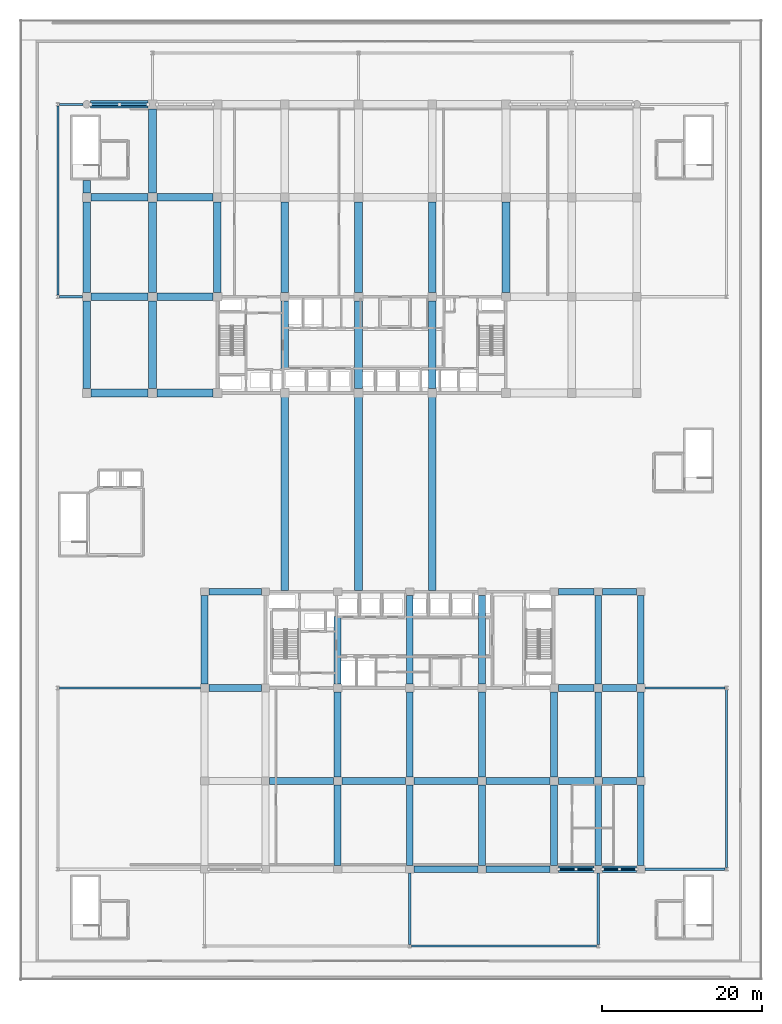
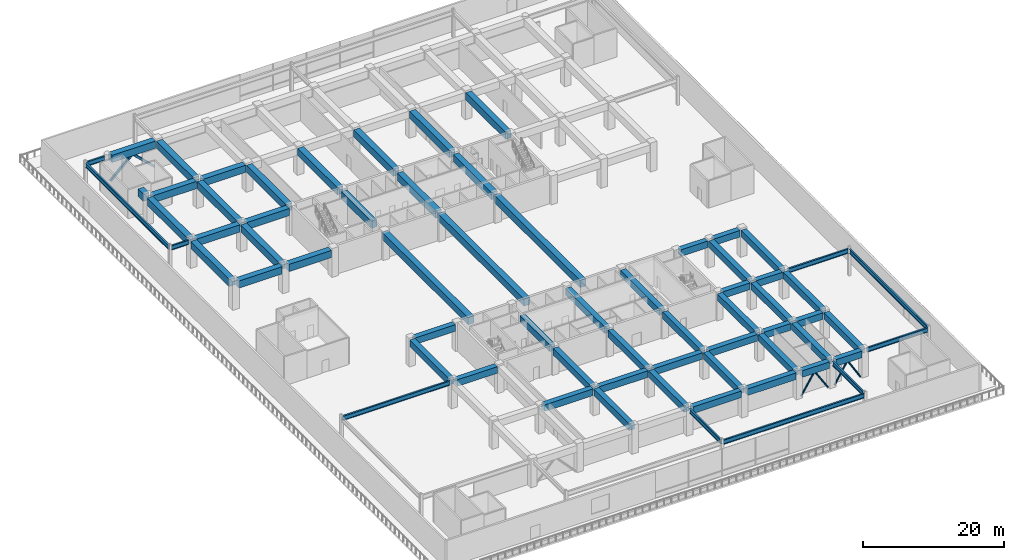
# One storey, part 12 of 38: 68 beams, 6 members.
"""IFC4 building model written with IfcOpenShell, lengths in metres."""

from ifc_helpers import new_model, si_unit, direction, frame, origin, origin_2d, place, context, subcontext, project, spatial, rectangle, hollow_rectangle, hollow_circle, i_section, extrude, material, material_profile, profile_set, type_object, element, save


model = new_model("IFC4")

# Units and contexts
model_context = context("Model", 3, precision=1e-05, world=origin(), true_north=direction((0.0, 1.0)))
body_context = subcontext(model_context, "Body", "Model", "MODEL_VIEW")
ifc_project = project(units=[si_unit("LENGTHUNIT", "METRE"), si_unit("AREAUNIT", "SQUARE_METRE"), si_unit("VOLUMEUNIT", "CUBIC_METRE"), si_unit("PLANEANGLEUNIT", "RADIAN"), si_unit("MASSUNIT", "GRAM", prefix="KILO")], contexts=[model_context])

# Site, building, storey
site_placement = place(None, origin())
site = spatial("IfcSite", under=ifc_project, at=site_placement, CompositionType="ELEMENT")
building_placement = place(site_placement, origin())
building = spatial("IfcBuilding", under=site, at=building_placement, Name="Korimba Cascade Residences", CompositionType="ELEMENT")
storey_placement = place(building_placement, frame((0.0, 0.0, 19.0)))
storey = spatial("IfcBuildingStorey", under=building, at=storey_placement, Name="L04", CompositionType="ELEMENT", Elevation=19.0)

# Beams
ifc_material_1 = material(Name="Steel S355", Category="steel")
ifc_material_profile_1 = material_profile(ifc_material_1, i_section(OverallWidth=0.26806640625, OverallDepth=0.769775390625, WebThickness=0.015625, FlangeThickness=0.025390625, FilletRadius=0.0166015625, at=origin_2d()), Name="Steel S355")
ifc_profile_set_1 = profile_set([ifc_material_profile_1], Name="Steel S355")
beam_type_1 = type_object("IfcBeamType", Name="BM-STL-UB762", PredefinedType="BEAM", material=ifc_profile_set_1)
beam_1_placement = place(storey_placement, frame((56.3994140625, 18.39990234375, 4.295166015625), z_axis=(1.0, 0.0, 0.0), x_axis=(0.0, 1.0, 0.0)))
element("IfcBeam", 1, at=beam_1_placement, inside=storey, type_object=beam_type_1, Name="L04 Podium Frame Girder W2", PredefinedType="BEAM", context=body_context, shape_type="SweptSolid", body=[
    extrude(i_section(OverallWidth=0.26806640625, OverallDepth=0.769775390625, WebThickness=0.015625, FlangeThickness=0.025390625, FilletRadius=0.0166015625, at=origin_2d()), origin(), (0.0, 0.0, 1.0), 17.57568359375),
])
beam_2_placement = place(storey_placement, frame((56.3994140625, 67.199951171875, 4.295166015625), z_axis=(1.0, 0.0, 0.0), x_axis=(0.0, 1.0, 0.0)))
element("IfcBeam", 2, at=beam_2_placement, inside=storey, type_object=beam_type_1, Name="L04 Podium Frame Girder W3", PredefinedType="BEAM", context=body_context, shape_type="SweptSolid", body=[
    extrude(i_section(OverallWidth=0.26806640625, OverallDepth=0.769775390625, WebThickness=0.015625, FlangeThickness=0.025390625, FilletRadius=0.0166015625, at=origin_2d()), origin(), (0.0, 0.0, 1.0), 2.8505859375),
])
beam_3_placement = place(storey_placement, frame((56.3994140625, 91.199951171875, 4.295166015625), z_axis=(1.0, 0.0, 0.0), x_axis=(0.0, 1.0, 0.0)))
element("IfcBeam", 3, at=beam_3_placement, inside=storey, type_object=beam_type_1, Name="L04 Podium Frame Girder W4", PredefinedType="BEAM", context=body_context, shape_type="SweptSolid", body=[
    extrude(i_section(OverallWidth=0.26806640625, OverallDepth=0.769775390625, WebThickness=0.015625, FlangeThickness=0.025390625, FilletRadius=0.0166015625, at=origin_2d()), origin(), (0.0, 0.0, 1.0), 2.925537109375),
])
beam_4_placement = place(storey_placement, frame((56.199951171875, 67.396728515625, 4.295166015625), z_axis=(0.0, 1.0, 0.0), x_axis=(-1.0, 0.0, 0.0)))
element("IfcBeam", 4, at=beam_4_placement, inside=storey, type_object=beam_type_1, Name="L04 Podium Frame Girder WS", PredefinedType="BEAM", context=body_context, shape_type="SweptSolid", body=[
    extrude(i_section(OverallWidth=0.26806640625, OverallDepth=0.769775390625, WebThickness=0.015625, FlangeThickness=0.025390625, FilletRadius=0.0166015625, at=origin_2d()), origin(), (0.0, 0.0, 1.0), 23.6064453125),
])
for number, where, z_axis, x_axis, name in (
    (5, (129.425048828125, -4.199951171875, 4.295166015625), (1.0, 0.0, 0.0), (0.0, 1.0, 0.0), "L04 Podium Frame Girder E1"),
    (6, (129.425048828125, 18.39990234375, 4.295166015625), (1.0, 0.0, 0.0), (0.0, 1.0, 0.0), "L04 Podium Frame Girder E2"),
):
    element("IfcBeam", number, at=place(storey_placement, frame(where, z_axis=z_axis, x_axis=x_axis)), inside=storey, type_object=beam_type_1, Name=name, PredefinedType="BEAM", context=body_context, shape_type="SweptSolid", body=[
        extrude(i_section(OverallWidth=0.26806640625, OverallDepth=0.769775390625, WebThickness=0.015625, FlangeThickness=0.025390625, FilletRadius=0.0166015625, at=origin_2d()), origin(), (0.0, 0.0, 1.0), 9.975341796875),
    ])
beam_5_placement = place(storey_placement, frame((139.60009765625, -4.003173828125, 4.295166015625), z_axis=(0.0, 1.0, 0.0), x_axis=(-1.0, 0.0, 0.0)))
element("IfcBeam", 7, at=beam_5_placement, inside=storey, type_object=beam_type_1, Name="L04 Podium Frame Girder EN", PredefinedType="BEAM", context=body_context, shape_type="SweptSolid", body=[
    extrude(i_section(OverallWidth=0.26806640625, OverallDepth=0.769775390625, WebThickness=0.015625, FlangeThickness=0.025390625, FilletRadius=0.0166015625, at=origin_2d()), origin(), (0.0, 0.0, 1.0), 22.206298828125),
])
for number, where, z_axis, x_axis, name in (
    (8, (100.10009765625, -13.603271484375, 4.295166015625), (0.0, 1.0, 0.0), (-1.0, 0.0, 0.0), "L04 Podium Frame Girder S2"),
    (9, (123.60009765625, -13.603271484375, 4.295166015625), (0.0, 1.0, 0.0), (-1.0, 0.0, 0.0), "L04 Podium Frame Girder S3"),
):
    element("IfcBeam", number, at=place(storey_placement, frame(where, z_axis=z_axis, x_axis=x_axis)), inside=storey, type_object=beam_type_1, Name=name, PredefinedType="BEAM", context=body_context, shape_type="SweptSolid", body=[
        extrude(i_section(OverallWidth=0.26806640625, OverallDepth=0.769775390625, WebThickness=0.015625, FlangeThickness=0.025390625, FilletRadius=0.0166015625, at=origin_2d()), origin(), (0.0, 0.0, 1.0), 8.92822265625),
    ])
beam_6_placement = place(storey_placement, frame((100.299560546875, -13.800048828125, 4.295166015625), z_axis=(1.0, 0.0, 0.0), x_axis=(0.0, 1.0, 0.0)))
element("IfcBeam", 10, at=beam_6_placement, inside=storey, type_object=beam_type_1, Name="L04 Podium Frame Girder SH2", PredefinedType="BEAM", context=body_context, shape_type="SweptSolid", body=[
    extrude(i_section(OverallWidth=0.26806640625, OverallDepth=0.769775390625, WebThickness=0.015625, FlangeThickness=0.025390625, FilletRadius=0.0166015625, at=origin_2d()), origin(), (0.0, 0.0, 1.0), 23.100830078125),
])
ifc_material_2 = material(Name="Concrete C65/80", Category="concrete")
ifc_material_profile_2 = material_profile(ifc_material_2, rectangle(XDim=0.85009765625, YDim=1.14990234375, at=origin_2d()), Name="Concrete C65/80")
ifc_profile_set_2 = profile_set([ifc_material_profile_2], Name="Concrete C65/80")
beam_type_2 = type_object("IfcBeamType", Name="BM-TRF-1150", PredefinedType="T_BEAM", material=ifc_profile_set_2)
for number, where, z_axis, x_axis, name in (
    (11, (100.625, -4.199951171875, 4.10498046875), (1.0, 0.0, 0.0), (0.0, 1.0, 0.0), "L04 T2 E-W Girder Y1 Bay 4"),
    (12, (109.625, -4.199951171875, 4.10498046875), (1.0, 0.0, 0.0), (0.0, 1.0, 0.0), "L04 T2 E-W Girder Y1 Bay 5"),
):
    element("IfcBeam", number, at=place(storey_placement, frame(where, z_axis=z_axis, x_axis=x_axis)), inside=storey, type_object=beam_type_2, Name=name, PredefinedType="T_BEAM", context=body_context, shape_type="SweptSolid", body=[
        extrude(rectangle(XDim=0.85009765625, YDim=1.14990234375, at=origin_2d()), origin(), (0.0, 0.0, 1.0), 7.949951171875),
    ])
beam_7_placement = place(storey_placement, frame((118.625, -4.199951171875, 4.10498046875), z_axis=(1.0, 0.0, 0.0), x_axis=(0.0, 1.0, 0.0)))
element("IfcBeam", 13, at=beam_7_placement, inside=storey, type_object=beam_type_2, Name="L04 T2 E-W Girder Y1 Bay 6", PredefinedType="T_BEAM", context=body_context, shape_type="SweptSolid", body=[
    extrude(rectangle(XDim=0.85009765625, YDim=1.14990234375, at=origin_2d()), origin(), (0.0, 0.0, 1.0), 4.449951171875),
])
beam_8_placement = place(storey_placement, frame((124.125, -4.199951171875, 4.10498046875), z_axis=(1.0, 0.0, 0.0), x_axis=(0.0, 1.0, 0.0)))
element("IfcBeam", 14, at=beam_8_placement, inside=storey, type_object=beam_type_2, Name="L04 T2 E-W Girder Y1 Bay 7", PredefinedType="T_BEAM", context=body_context, shape_type="SweptSolid", body=[
    extrude(rectangle(XDim=0.85009765625, YDim=1.14990234375, at=origin_2d()), origin(), (0.0, 0.0, 1.0), 4.25),
])
for number, where, z_axis, x_axis, name in (
    (15, (82.625, 6.800048828125, 4.10498046875), (1.0, 0.0, 0.0), (0.0, 1.0, 0.0), "L04 T2 E-W Girder Y2 Bay 2"),
    (16, (91.625, 6.800048828125, 4.10498046875), (1.0, 0.0, 0.0), (0.0, 1.0, 0.0), "L04 T2 E-W Girder Y2 Bay 3"),
    (17, (100.625, 6.800048828125, 4.10498046875), (1.0, 0.0, 0.0), (0.0, 1.0, 0.0), "L04 T2 E-W Girder Y2 Bay 4"),
    (18, (109.625, 6.800048828125, 4.10498046875), (1.0, 0.0, 0.0), (0.0, 1.0, 0.0), "L04 T2 E-W Girder Y2 Bay 5"),
):
    element("IfcBeam", number, at=place(storey_placement, frame(where, z_axis=z_axis, x_axis=x_axis)), inside=storey, type_object=beam_type_2, Name=name, PredefinedType="T_BEAM", context=body_context, shape_type="SweptSolid", body=[
        extrude(rectangle(XDim=0.85009765625, YDim=1.14990234375, at=origin_2d()), origin(), (0.0, 0.0, 1.0), 7.949951171875),
    ])
beam_9_placement = place(storey_placement, frame((118.625, 6.800048828125, 4.10498046875), z_axis=(1.0, 0.0, 0.0), x_axis=(0.0, 1.0, 0.0)))
element("IfcBeam", 19, at=beam_9_placement, inside=storey, type_object=beam_type_2, Name="L04 T2 E-W Girder Y2 Bay 6", PredefinedType="T_BEAM", context=body_context, shape_type="SweptSolid", body=[
    extrude(rectangle(XDim=0.85009765625, YDim=1.14990234375, at=origin_2d()), origin(), (0.0, 0.0, 1.0), 4.449951171875),
])
beam_10_placement = place(storey_placement, frame((124.125, 6.800048828125, 4.10498046875), z_axis=(1.0, 0.0, 0.0), x_axis=(0.0, 1.0, 0.0)))
element("IfcBeam", 20, at=beam_10_placement, inside=storey, type_object=beam_type_2, Name="L04 T2 E-W Girder Y2 Bay 7", PredefinedType="T_BEAM", context=body_context, shape_type="SweptSolid", body=[
    extrude(rectangle(XDim=0.85009765625, YDim=1.14990234375, at=origin_2d()), origin(), (0.0, 0.0, 1.0), 4.25),
])
beam_11_placement = place(storey_placement, frame((75.02490234375, 18.39990234375, 4.10498046875), z_axis=(1.0, 0.0, 0.0), x_axis=(0.0, 1.0, 0.0)))
element("IfcBeam", 21, at=beam_11_placement, inside=storey, type_object=beam_type_2, Name="L04 T2 E-W Girder Y3 Bay 1", PredefinedType="T_BEAM", context=body_context, shape_type="SweptSolid", body=[
    extrude(rectangle(XDim=0.85009765625, YDim=1.14990234375, at=origin_2d()), origin(), (0.0, 0.0, 1.0), 6.550048828125),
])
beam_12_placement = place(storey_placement, frame((118.625, 18.39990234375, 4.10498046875), z_axis=(1.0, 0.0, 0.0), x_axis=(0.0, 1.0, 0.0)))
element("IfcBeam", 22, at=beam_12_placement, inside=storey, type_object=beam_type_2, Name="L04 T2 E-W Girder Y3 Bay 6", PredefinedType="T_BEAM", context=body_context, shape_type="SweptSolid", body=[
    extrude(rectangle(XDim=0.85009765625, YDim=1.14990234375, at=origin_2d()), origin(), (0.0, 0.0, 1.0), 4.449951171875),
])
beam_13_placement = place(storey_placement, frame((124.125, 18.39990234375, 4.10498046875), z_axis=(1.0, 0.0, 0.0), x_axis=(0.0, 1.0, 0.0)))
element("IfcBeam", 23, at=beam_13_placement, inside=storey, type_object=beam_type_2, Name="L04 T2 E-W Girder Y3 Bay 7", PredefinedType="T_BEAM", context=body_context, shape_type="SweptSolid", body=[
    extrude(rectangle(XDim=0.85009765625, YDim=1.14990234375, at=origin_2d()), origin(), (0.0, 0.0, 1.0), 4.25),
])
beam_14_placement = place(storey_placement, frame((75.02490234375, 30.39990234375, 4.10498046875), z_axis=(1.0, 0.0, 0.0), x_axis=(0.0, 1.0, 0.0)))
element("IfcBeam", 24, at=beam_14_placement, inside=storey, type_object=beam_type_2, Name="L04 T2 E-W Girder Y4 Bay 1", PredefinedType="T_BEAM", context=body_context, shape_type="SweptSolid", body=[
    extrude(rectangle(XDim=0.85009765625, YDim=1.14990234375, at=origin_2d()), origin(), (0.0, 0.0, 1.0), 6.550048828125),
])
beam_15_placement = place(storey_placement, frame((118.625, 30.39990234375, 4.10498046875), z_axis=(1.0, 0.0, 0.0), x_axis=(0.0, 1.0, 0.0)))
element("IfcBeam", 25, at=beam_15_placement, inside=storey, type_object=beam_type_2, Name="L04 T2 E-W Girder Y4 Bay 6", PredefinedType="T_BEAM", context=body_context, shape_type="SweptSolid", body=[
    extrude(rectangle(XDim=0.85009765625, YDim=1.14990234375, at=origin_2d()), origin(), (0.0, 0.0, 1.0), 4.449951171875),
])
beam_16_placement = place(storey_placement, frame((124.125, 30.39990234375, 4.10498046875), z_axis=(1.0, 0.0, 0.0), x_axis=(0.0, 1.0, 0.0)))
element("IfcBeam", 26, at=beam_16_placement, inside=storey, type_object=beam_type_2, Name="L04 T2 E-W Girder Y4 Bay 7", PredefinedType="T_BEAM", context=body_context, shape_type="SweptSolid", body=[
    extrude(rectangle(XDim=0.85009765625, YDim=1.14990234375, at=origin_2d()), origin(), (0.0, 0.0, 1.0), 4.25),
])
beam_17_placement = place(storey_placement, frame((74.5, 18.875, 4.10498046875), z_axis=(0.0, 1.0, 0.0), x_axis=(-1.0, 0.0, 0.0)))
element("IfcBeam", 27, at=beam_17_placement, inside=storey, type_object=beam_type_2, Name="L04 T2 N-S Girder X1 Seg 3", PredefinedType="T_BEAM", context=body_context, shape_type="SweptSolid", body=[
    extrude(rectangle(XDim=0.85009765625, YDim=1.14990234375, at=origin_2d()), origin(), (0.0, 0.0, 1.0), 11.050048828125),
])
beam_18_placement = place(storey_placement, frame((91.10009765625, -3.72509765625, 4.10498046875), z_axis=(0.0, 1.0, 0.0), x_axis=(-1.0, 0.0, 0.0)))
element("IfcBeam", 28, at=beam_18_placement, inside=storey, type_object=beam_type_2, Name="L04 T2 N-S Girder X3 Seg 1", PredefinedType="T_BEAM", context=body_context, shape_type="SweptSolid", body=[
    extrude(rectangle(XDim=0.85009765625, YDim=1.14990234375, at=origin_2d()), origin(), (0.0, 0.0, 1.0), 10.050048828125),
])
beam_19_placement = place(storey_placement, frame((91.10009765625, 7.27490234375, 4.10498046875), z_axis=(0.0, 1.0, 0.0), x_axis=(-1.0, 0.0, 0.0)))
element("IfcBeam", 29, at=beam_19_placement, inside=storey, type_object=beam_type_2, Name="L04 T2 N-S Girder X3 Seg 2", PredefinedType="T_BEAM", context=body_context, shape_type="SweptSolid", body=[
    extrude(rectangle(XDim=0.85009765625, YDim=1.14990234375, at=origin_2d()), origin(), (0.0, 0.0, 1.0), 10.650146484375),
])
beam_20_placement = place(storey_placement, frame((91.10009765625, 18.875, 4.10498046875), z_axis=(0.0, 1.0, 0.0), x_axis=(-1.0, 0.0, 0.0)))
element("IfcBeam", 30, at=beam_20_placement, inside=storey, type_object=beam_type_2, Name="L04 T2 N-S Girder X3 Seg 3", PredefinedType="T_BEAM", context=body_context, shape_type="SweptSolid", body=[
    extrude(rectangle(XDim=0.85009765625, YDim=1.14990234375, at=origin_2d()), origin(), (0.0, 0.0, 1.0), 8.465087890625),
])
beam_21_placement = place(storey_placement, frame((100.10009765625, -3.72509765625, 4.10498046875), z_axis=(0.0, 1.0, 0.0), x_axis=(-1.0, 0.0, 0.0)))
element("IfcBeam", 31, at=beam_21_placement, inside=storey, type_object=beam_type_2, Name="L04 T2 N-S Girder X4 Seg 1", PredefinedType="T_BEAM", context=body_context, shape_type="SweptSolid", body=[
    extrude(rectangle(XDim=0.85009765625, YDim=1.14990234375, at=origin_2d()), origin(), (0.0, 0.0, 1.0), 10.050048828125),
])
beam_22_placement = place(storey_placement, frame((100.10009765625, 7.27490234375, 4.10498046875), z_axis=(0.0, 1.0, 0.0), x_axis=(-1.0, 0.0, 0.0)))
element("IfcBeam", 32, at=beam_22_placement, inside=storey, type_object=beam_type_2, Name="L04 T2 N-S Girder X4 Seg 2", PredefinedType="T_BEAM", context=body_context, shape_type="SweptSolid", body=[
    extrude(rectangle(XDim=0.85009765625, YDim=1.14990234375, at=origin_2d()), origin(), (0.0, 0.0, 1.0), 10.650146484375),
])
beam_23_placement = place(storey_placement, frame((100.10009765625, 18.875, 4.10498046875), z_axis=(0.0, 1.0, 0.0), x_axis=(-1.0, 0.0, 0.0)))
element("IfcBeam", 33, at=beam_23_placement, inside=storey, type_object=beam_type_2, Name="L04 T2 N-S Girder X4 Seg 3", PredefinedType="T_BEAM", context=body_context, shape_type="SweptSolid", body=[
    extrude(rectangle(XDim=0.85009765625, YDim=1.14990234375, at=origin_2d()), origin(), (0.0, 0.0, 1.0), 11.050048828125),
])
beam_24_placement = place(storey_placement, frame((109.10009765625, -3.72509765625, 4.10498046875), z_axis=(0.0, 1.0, 0.0), x_axis=(-1.0, 0.0, 0.0)))
element("IfcBeam", 34, at=beam_24_placement, inside=storey, type_object=beam_type_2, Name="L04 T2 N-S Girder X5 Seg 1", PredefinedType="T_BEAM", context=body_context, shape_type="SweptSolid", body=[
    extrude(rectangle(XDim=0.85009765625, YDim=1.14990234375, at=origin_2d()), origin(), (0.0, 0.0, 1.0), 10.050048828125),
])
beam_25_placement = place(storey_placement, frame((109.10009765625, 7.27490234375, 4.10498046875), z_axis=(0.0, 1.0, 0.0), x_axis=(-1.0, 0.0, 0.0)))
element("IfcBeam", 35, at=beam_25_placement, inside=storey, type_object=beam_type_2, Name="L04 T2 N-S Girder X5 Seg 2", PredefinedType="T_BEAM", context=body_context, shape_type="SweptSolid", body=[
    extrude(rectangle(XDim=0.85009765625, YDim=1.14990234375, at=origin_2d()), origin(), (0.0, 0.0, 1.0), 10.650146484375),
])
beam_26_placement = place(storey_placement, frame((109.10009765625, 18.875, 4.10498046875), z_axis=(0.0, 1.0, 0.0), x_axis=(-1.0, 0.0, 0.0)))
element("IfcBeam", 36, at=beam_26_placement, inside=storey, type_object=beam_type_2, Name="L04 T2 N-S Girder X5 Seg 3", PredefinedType="T_BEAM", context=body_context, shape_type="SweptSolid", body=[
    extrude(rectangle(XDim=0.85009765625, YDim=1.14990234375, at=origin_2d()), origin(), (0.0, 0.0, 1.0), 11.050048828125),
])
beam_27_placement = place(storey_placement, frame((118.10009765625, -3.72509765625, 4.10498046875), z_axis=(0.0, 1.0, 0.0), x_axis=(-1.0, 0.0, 0.0)))
element("IfcBeam", 37, at=beam_27_placement, inside=storey, type_object=beam_type_2, Name="L04 T2 N-S Girder X6 Seg 1", PredefinedType="T_BEAM", context=body_context, shape_type="SweptSolid", body=[
    extrude(rectangle(XDim=0.85009765625, YDim=1.14990234375, at=origin_2d()), origin(), (0.0, 0.0, 1.0), 10.050048828125),
])
beam_28_placement = place(storey_placement, frame((118.10009765625, 7.27490234375, 4.10498046875), z_axis=(0.0, 1.0, 0.0), x_axis=(-1.0, 0.0, 0.0)))
element("IfcBeam", 38, at=beam_28_placement, inside=storey, type_object=beam_type_2, Name="L04 T2 N-S Girder X6 Seg 2", PredefinedType="T_BEAM", context=body_context, shape_type="SweptSolid", body=[
    extrude(rectangle(XDim=0.85009765625, YDim=1.14990234375, at=origin_2d()), origin(), (0.0, 0.0, 1.0), 10.650146484375),
])
beam_29_placement = place(storey_placement, frame((123.60009765625, -3.72509765625, 4.10498046875), z_axis=(0.0, 1.0, 0.0), x_axis=(-1.0, 0.0, 0.0)))
element("IfcBeam", 39, at=beam_29_placement, inside=storey, type_object=beam_type_2, Name="L04 T2 N-S Girder X7 Seg 1", PredefinedType="T_BEAM", context=body_context, shape_type="SweptSolid", body=[
    extrude(rectangle(XDim=0.85009765625, YDim=1.14990234375, at=origin_2d()), origin(), (0.0, 0.0, 1.0), 10.050048828125),
])
beam_30_placement = place(storey_placement, frame((123.60009765625, 7.27490234375, 4.10498046875), z_axis=(0.0, 1.0, 0.0), x_axis=(-1.0, 0.0, 0.0)))
element("IfcBeam", 40, at=beam_30_placement, inside=storey, type_object=beam_type_2, Name="L04 T2 N-S Girder X7 Seg 2", PredefinedType="T_BEAM", context=body_context, shape_type="SweptSolid", body=[
    extrude(rectangle(XDim=0.85009765625, YDim=1.14990234375, at=origin_2d()), origin(), (0.0, 0.0, 1.0), 10.650146484375),
])
beam_31_placement = place(storey_placement, frame((123.60009765625, 18.875, 4.10498046875), z_axis=(0.0, 1.0, 0.0), x_axis=(-1.0, 0.0, 0.0)))
element("IfcBeam", 41, at=beam_31_placement, inside=storey, type_object=beam_type_2, Name="L04 T2 N-S Girder X7 Seg 3", PredefinedType="T_BEAM", context=body_context, shape_type="SweptSolid", body=[
    extrude(rectangle(XDim=0.85009765625, YDim=1.14990234375, at=origin_2d()), origin(), (0.0, 0.0, 1.0), 11.050048828125),
])
beam_32_placement = place(storey_placement, frame((128.89990234375, -3.72509765625, 4.10498046875), z_axis=(0.0, 1.0, 0.0), x_axis=(-1.0, 0.0, 0.0)))
element("IfcBeam", 42, at=beam_32_placement, inside=storey, type_object=beam_type_2, Name="L04 T2 N-S Girder X8 Seg 1", PredefinedType="T_BEAM", context=body_context, shape_type="SweptSolid", body=[
    extrude(rectangle(XDim=0.85009765625, YDim=1.14990234375, at=origin_2d()), origin(), (0.0, 0.0, 1.0), 10.050048828125),
])
beam_33_placement = place(storey_placement, frame((128.89990234375, 7.27490234375, 4.10498046875), z_axis=(0.0, 1.0, 0.0), x_axis=(-1.0, 0.0, 0.0)))
element("IfcBeam", 43, at=beam_33_placement, inside=storey, type_object=beam_type_2, Name="L04 T2 N-S Girder X8 Seg 2", PredefinedType="T_BEAM", context=body_context, shape_type="SweptSolid", body=[
    extrude(rectangle(XDim=0.85009765625, YDim=1.14990234375, at=origin_2d()), origin(), (0.0, 0.0, 1.0), 10.650146484375),
])
beam_34_placement = place(storey_placement, frame((128.89990234375, 18.875, 4.10498046875), z_axis=(0.0, 1.0, 0.0), x_axis=(-1.0, 0.0, 0.0)))
element("IfcBeam", 44, at=beam_34_placement, inside=storey, type_object=beam_type_2, Name="L04 T2 N-S Girder X8 Seg 3", PredefinedType="T_BEAM", context=body_context, shape_type="SweptSolid", body=[
    extrude(rectangle(XDim=0.85009765625, YDim=1.14990234375, at=origin_2d()), origin(), (0.0, 0.0, 1.0), 11.050048828125),
])
ifc_material_profile_3 = material_profile(ifc_material_2, rectangle(XDim=0.949951171875, YDim=1.25, at=origin_2d()), Name="Concrete C65/80")
ifc_profile_set_3 = profile_set([ifc_material_profile_3], Name="Concrete C65/80")
beam_type_3 = type_object("IfcBeamType", Name="BM-TRF-1250", PredefinedType="T_BEAM", material=ifc_profile_set_3)
beam_35_placement = place(storey_placement, frame((60.35009765625, 55.199951171875, 4.054931640625), z_axis=(1.0, 0.0, 0.0), x_axis=(0.0, 1.0, 0.0)))
element("IfcBeam", 45, at=beam_35_placement, inside=storey, type_object=beam_type_3, Name="L04 T1 E-W Girder Y1 Bay 1", PredefinedType="T_BEAM", context=body_context, shape_type="SweptSolid", body=[
    extrude(rectangle(XDim=0.949951171875, YDim=1.25, at=origin_2d()), origin(), (0.0, 0.0, 1.0), 7.099853515625),
])
beam_36_placement = place(storey_placement, frame((68.550048828125, 55.199951171875, 4.054931640625), z_axis=(1.0, 0.0, 0.0), x_axis=(0.0, 1.0, 0.0)))
element("IfcBeam", 46, at=beam_36_placement, inside=storey, type_object=beam_type_3, Name="L04 T1 E-W Girder Y1 Bay 2", PredefinedType="T_BEAM", context=body_context, shape_type="SweptSolid", body=[
    extrude(rectangle(XDim=0.949951171875, YDim=1.25, at=origin_2d()), origin(), (0.0, 0.0, 1.0), 7.0),
])
beam_37_placement = place(storey_placement, frame((60.35009765625, 67.199951171875, 4.054931640625), z_axis=(1.0, 0.0, 0.0), x_axis=(0.0, 1.0, 0.0)))
element("IfcBeam", 47, at=beam_37_placement, inside=storey, type_object=beam_type_3, Name="L04 T1 E-W Girder Y2 Bay 1", PredefinedType="T_BEAM", context=body_context, shape_type="SweptSolid", body=[
    extrude(rectangle(XDim=0.949951171875, YDim=1.25, at=origin_2d()), origin(), (0.0, 0.0, 1.0), 7.099853515625),
])
beam_38_placement = place(storey_placement, frame((68.550048828125, 67.199951171875, 4.054931640625), z_axis=(1.0, 0.0, 0.0), x_axis=(0.0, 1.0, 0.0)))
element("IfcBeam", 48, at=beam_38_placement, inside=storey, type_object=beam_type_3, Name="L04 T1 E-W Girder Y2 Bay 2", PredefinedType="T_BEAM", context=body_context, shape_type="SweptSolid", body=[
    extrude(rectangle(XDim=0.949951171875, YDim=1.25, at=origin_2d()), origin(), (0.0, 0.0, 1.0), 7.0),
])
beam_39_placement = place(storey_placement, frame((60.35009765625, 79.60009765625, 4.054931640625), z_axis=(1.0, 0.0, 0.0), x_axis=(0.0, 1.0, 0.0)))
element("IfcBeam", 49, at=beam_39_placement, inside=storey, type_object=beam_type_3, Name="L04 T1 E-W Girder Y3 Bay 1", PredefinedType="T_BEAM", context=body_context, shape_type="SweptSolid", body=[
    extrude(rectangle(XDim=0.949951171875, YDim=1.25, at=origin_2d()), origin(), (0.0, 0.0, 1.0), 7.099853515625),
])
beam_40_placement = place(storey_placement, frame((68.550048828125, 79.60009765625, 4.054931640625), z_axis=(1.0, 0.0, 0.0), x_axis=(0.0, 1.0, 0.0)))
element("IfcBeam", 50, at=beam_40_placement, inside=storey, type_object=beam_type_3, Name="L04 T1 E-W Girder Y3 Bay 2", PredefinedType="T_BEAM", context=body_context, shape_type="SweptSolid", body=[
    extrude(rectangle(XDim=0.949951171875, YDim=1.25, at=origin_2d()), origin(), (0.0, 0.0, 1.0), 7.0),
])
beam_41_placement = place(storey_placement, frame((60.27490234375, 91.199951171875, 4.054931640625), z_axis=(1.0, 0.0, 0.0), x_axis=(0.0, 1.0, 0.0)))
element("IfcBeam", 51, at=beam_41_placement, inside=storey, type_object=beam_type_3, Name="L04 T1 E-W Girder Y4 Bay 1", PredefinedType="T_BEAM", context=body_context, shape_type="SweptSolid", body=[
    extrude(rectangle(XDim=0.949951171875, YDim=1.25, at=origin_2d()), origin(), (0.0, 0.0, 1.0), 7.175048828125),
])
beam_42_placement = place(storey_placement, frame((59.800048828125, 55.75, 4.054931640625), z_axis=(0.0, 1.0, 0.0), x_axis=(-1.0, 0.0, 0.0)))
element("IfcBeam", 52, at=beam_42_placement, inside=storey, type_object=beam_type_3, Name="L04 T1 N-S Girder X1 Seg 1", PredefinedType="T_BEAM", context=body_context, shape_type="SweptSolid", body=[
    extrude(rectangle(XDim=0.949951171875, YDim=1.25, at=origin_2d()), origin(), (0.0, 0.0, 1.0), 10.89990234375),
])
beam_43_placement = place(storey_placement, frame((59.800048828125, 67.75, 4.054931640625), z_axis=(0.0, 1.0, 0.0), x_axis=(-1.0, 0.0, 0.0)))
element("IfcBeam", 53, at=beam_43_placement, inside=storey, type_object=beam_type_3, Name="L04 T1 N-S Girder X1 Seg 2", PredefinedType="T_BEAM", context=body_context, shape_type="SweptSolid", body=[
    extrude(rectangle(XDim=0.949951171875, YDim=1.25, at=origin_2d()), origin(), (0.0, 0.0, 1.0), 11.300048828125),
])
beam_44_placement = place(storey_placement, frame((59.800048828125, 80.14990234375, 4.054931640625), z_axis=(0.0, 1.0, 0.0), x_axis=(-1.0, 0.0, 0.0)))
element("IfcBeam", 54, at=beam_44_placement, inside=storey, type_object=beam_type_3, Name="L04 T1 N-S Girder X1 Seg 3", PredefinedType="T_BEAM", context=body_context, shape_type="SweptSolid", body=[
    extrude(rectangle(XDim=0.949951171875, YDim=1.25, at=origin_2d()), origin(), (0.0, 0.0, 1.0), 1.550048828125),
])
beam_45_placement = place(storey_placement, frame((68.0, 55.75, 4.054931640625), z_axis=(0.0, 1.0, 0.0), x_axis=(-1.0, 0.0, 0.0)))
element("IfcBeam", 55, at=beam_45_placement, inside=storey, type_object=beam_type_3, Name="L04 T1 N-S Girder X2 Seg 1", PredefinedType="T_BEAM", context=body_context, shape_type="SweptSolid", body=[
    extrude(rectangle(XDim=0.949951171875, YDim=1.25, at=origin_2d()), origin(), (0.0, 0.0, 1.0), 10.89990234375),
])
beam_46_placement = place(storey_placement, frame((68.0, 67.75, 4.054931640625), z_axis=(0.0, 1.0, 0.0), x_axis=(-1.0, 0.0, 0.0)))
element("IfcBeam", 56, at=beam_46_placement, inside=storey, type_object=beam_type_3, Name="L04 T1 N-S Girder X2 Seg 2", PredefinedType="T_BEAM", context=body_context, shape_type="SweptSolid", body=[
    extrude(rectangle(XDim=0.949951171875, YDim=1.25, at=origin_2d()), origin(), (0.0, 0.0, 1.0), 11.300048828125),
])
beam_47_placement = place(storey_placement, frame((68.0, 80.14990234375, 4.054931640625), z_axis=(0.0, 1.0, 0.0), x_axis=(-1.0, 0.0, 0.0)))
element("IfcBeam", 57, at=beam_47_placement, inside=storey, type_object=beam_type_3, Name="L04 T1 N-S Girder X2 Seg 3", PredefinedType="T_BEAM", context=body_context, shape_type="SweptSolid", body=[
    extrude(rectangle(XDim=0.949951171875, YDim=1.25, at=origin_2d()), origin(), (0.0, 0.0, 1.0), 10.5),
])
beam_48_placement = place(storey_placement, frame((76.10009765625, 67.75, 4.054931640625), z_axis=(0.0, 1.0, 0.0), x_axis=(-1.0, 0.0, 0.0)))
element("IfcBeam", 58, at=beam_48_placement, inside=storey, type_object=beam_type_3, Name="L04 T1 N-S Girder X3 Seg 2", PredefinedType="T_BEAM", context=body_context, shape_type="SweptSolid", body=[
    extrude(rectangle(XDim=0.949951171875, YDim=1.25, at=origin_2d()), origin(), (0.0, 0.0, 1.0), 11.300048828125),
])
beam_49_placement = place(storey_placement, frame((84.5, 58.159912109375, 4.054931640625), z_axis=(0.0, 1.0, 0.0), x_axis=(-1.0, 0.0, 0.0)))
element("IfcBeam", 59, at=beam_49_placement, inside=storey, type_object=beam_type_3, Name="L04 T1 N-S Girder X4 Seg 1", PredefinedType="T_BEAM", context=body_context, shape_type="SweptSolid", body=[
    extrude(rectangle(XDim=0.949951171875, YDim=1.25, at=origin_2d()), origin(), (0.0, 0.0, 1.0), 8.489990234375),
])
beam_50_placement = place(storey_placement, frame((84.5, 67.75, 4.054931640625), z_axis=(0.0, 1.0, 0.0), x_axis=(-1.0, 0.0, 0.0)))
element("IfcBeam", 60, at=beam_50_placement, inside=storey, type_object=beam_type_3, Name="L04 T1 N-S Girder X4 Seg 2", PredefinedType="T_BEAM", context=body_context, shape_type="SweptSolid", body=[
    extrude(rectangle(XDim=0.949951171875, YDim=1.25, at=origin_2d()), origin(), (0.0, 0.0, 1.0), 11.300048828125),
])
beam_51_placement = place(storey_placement, frame((93.699951171875, 55.75, 4.054931640625), z_axis=(0.0, 1.0, 0.0), x_axis=(-1.0, 0.0, 0.0)))
element("IfcBeam", 61, at=beam_51_placement, inside=storey, type_object=beam_type_3, Name="L04 T1 N-S Girder X5 Seg 1", PredefinedType="T_BEAM", context=body_context, shape_type="SweptSolid", body=[
    extrude(rectangle(XDim=0.949951171875, YDim=1.25, at=origin_2d()), origin(), (0.0, 0.0, 1.0), 10.89990234375),
])
beam_52_placement = place(storey_placement, frame((93.699951171875, 67.75, 4.054931640625), z_axis=(0.0, 1.0, 0.0), x_axis=(-1.0, 0.0, 0.0)))
element("IfcBeam", 62, at=beam_52_placement, inside=storey, type_object=beam_type_3, Name="L04 T1 N-S Girder X5 Seg 2", PredefinedType="T_BEAM", context=body_context, shape_type="SweptSolid", body=[
    extrude(rectangle(XDim=0.949951171875, YDim=1.25, at=origin_2d()), origin(), (0.0, 0.0, 1.0), 11.300048828125),
])
beam_53_placement = place(storey_placement, frame((102.89990234375, 55.75, 4.054931640625), z_axis=(0.0, 1.0, 0.0), x_axis=(-1.0, 0.0, 0.0)))
element("IfcBeam", 63, at=beam_53_placement, inside=storey, type_object=beam_type_3, Name="L04 T1 N-S Girder X6 Seg 1", PredefinedType="T_BEAM", context=body_context, shape_type="SweptSolid", body=[
    extrude(rectangle(XDim=0.949951171875, YDim=1.25, at=origin_2d()), origin(), (0.0, 0.0, 1.0), 10.89990234375),
])
for number, where, z_axis, x_axis, name in (
    (64, (102.89990234375, 67.75, 4.054931640625), (0.0, 1.0, 0.0), (-1.0, 0.0, 0.0), "L04 T1 N-S Girder X6 Seg 2"),
    (65, (112.10009765625, 67.75, 4.054931640625), (0.0, 1.0, 0.0), (-1.0, 0.0, 0.0), "L04 T1 N-S Girder X7 Seg 2"),
):
    element("IfcBeam", number, at=place(storey_placement, frame(where, z_axis=z_axis, x_axis=x_axis)), inside=storey, type_object=beam_type_3, Name=name, PredefinedType="T_BEAM", context=body_context, shape_type="SweptSolid", body=[
        extrude(rectangle(XDim=0.949951171875, YDim=1.25, at=origin_2d()), origin(), (0.0, 0.0, 1.0), 11.300048828125),
    ])
for number, where, z_axis, x_axis, name in (
    (66, (84.5, 30.574951171875, 4.054931640625), (0.0, 1.0, 0.0), (-1.0, 0.0, 0.0), "L04 Podium Canyon Girder 1"),
    (67, (93.699951171875, 30.574951171875, 4.054931640625), (0.0, 1.0, 0.0), (-1.0, 0.0, 0.0), "L04 Podium Canyon Girder 2"),
    (68, (102.89990234375, 30.574951171875, 4.054931640625), (0.0, 1.0, 0.0), (-1.0, 0.0, 0.0), "L04 Podium Canyon Girder 3"),
):
    element("IfcBeam", number, at=place(storey_placement, frame(where, z_axis=z_axis, x_axis=x_axis)), inside=storey, type_object=beam_type_3, Name=name, PredefinedType="T_BEAM", context=body_context, shape_type="SweptSolid", body=[
        extrude(rectangle(XDim=0.949951171875, YDim=1.25, at=origin_2d()), origin(), (0.0, 0.0, 1.0), 24.449951171875),
    ])

# Members
ifc_material_3 = material(Name="Steel S460", Category="steel")
ifc_material_profile_4 = material_profile(ifc_material_3, hollow_rectangle(XDim=0.35009765625, YDim=0.35009765625, WallThickness=0.01611328125, InnerFilletRadius=0.01611328125, OuterFilletRadius=0.031982421875, at=origin_2d()), Name="Steel S460")
ifc_profile_set_4 = profile_set([ifc_material_profile_4], Name="Steel S460")
member_type_1 = type_object("IfcMemberType", Name="MEM-BLT-SHS350", PredefinedType="BRACE", material=ifc_profile_set_4)
member_1_placement = place(storey_placement, frame((60.27490234375, 91.199951171875, 0.0), z_axis=(0.726380620834, 0.0, 0.687292655044), x_axis=(0.0, 1.0, 0.0)))
element("IfcMember", 69, at=member_1_placement, inside=storey, type_object=member_type_1, Name="L04 Transfer Chevron Brace N1A", PredefinedType="BRACE", context=body_context, shape_type="SweptSolid", body=[
    extrude(hollow_rectangle(XDim=0.35009765625, YDim=0.35009765625, WallThickness=0.01611328125, InnerFilletRadius=0.01611328125, OuterFilletRadius=0.031982421875, at=origin_2d()), origin(), (0.0, 0.0, 1.0), 4.990478515625),
])
member_2_placement = place(storey_placement, frame((67.449951171875, 91.199951171875, 0.0), z_axis=(-0.719168769834, 0.0, 0.69483543411), x_axis=(0.0, -1.0, 0.0)))
element("IfcMember", 70, at=member_2_placement, inside=storey, type_object=member_type_1, Name="L04 Transfer Chevron Brace N1B", PredefinedType="BRACE", context=body_context, shape_type="SweptSolid", body=[
    extrude(hollow_rectangle(XDim=0.35009765625, YDim=0.35009765625, WallThickness=0.01611328125, InnerFilletRadius=0.01611328125, OuterFilletRadius=0.031982421875, at=origin_2d()), origin(), (0.0, 0.0, 1.0), 4.936279296875),
])
ifc_material_profile_5 = material_profile(ifc_material_1, hollow_circle(Radius=0.136474609375, WallThickness=0.010009765625, at=origin_2d()), Name="Steel S355")
ifc_profile_set_5 = profile_set([ifc_material_profile_5], Name="Steel S355")
member_type_2 = type_object("IfcMemberType", Name="MEM-SET-CHS273", PredefinedType="STRUT", material=ifc_profile_set_5)
member_3_placement = place(storey_placement, frame((118.625, -4.199951171875, 0.0), z_axis=(0.533239940932, 0.0, 0.845964044978), x_axis=(0.0, 1.0, 0.0)))
element("IfcMember", 71, at=member_3_placement, inside=storey, type_object=member_type_2, Name="L04 South Chevron Brace S6A", PredefinedType="STRUT", context=body_context, shape_type="SweptSolid", body=[
    extrude(hollow_circle(Radius=0.136474609375, WallThickness=0.010009765625, at=origin_2d()), origin(), (0.0, 0.0, 1.0), 4.1728515625),
])
member_4_placement = place(storey_placement, frame((123.074951171875, -4.199951171875, 0.0), z_axis=(-0.533198067574, 0.0, 0.845990437733), x_axis=(0.0, -1.0, 0.0)))
element("IfcMember", 72, at=member_4_placement, inside=storey, type_object=member_type_2, Name="L04 South Chevron Brace S6B", PredefinedType="STRUT", context=body_context, shape_type="SweptSolid", body=[
    extrude(hollow_circle(Radius=0.136474609375, WallThickness=0.010009765625, at=origin_2d()), origin(), (0.0, 0.0, 1.0), 4.172607421875),
])
for number, where, z_axis, x_axis, name in (
    (73, (124.125, -4.199951171875, 0.0), (0.515741275592, 0.0, 0.856744382328), (0.0, 1.0, 0.0), "L04 South Chevron Brace S7A"),
    (74, (128.375, -4.199951171875, 0.0), (-0.515741275592, 0.0, 0.856744382328), (0.0, -1.0, 0.0), "L04 South Chevron Brace S7B"),
):
    element("IfcMember", number, at=place(storey_placement, frame(where, z_axis=z_axis, x_axis=x_axis)), inside=storey, type_object=member_type_2, Name=name, PredefinedType="STRUT", context=body_context, shape_type="SweptSolid", body=[
        extrude(hollow_circle(Radius=0.136474609375, WallThickness=0.010009765625, at=origin_2d()), origin(), (0.0, 0.0, 1.0), 4.120361328125),
    ])

save(model, "model.ifc")
